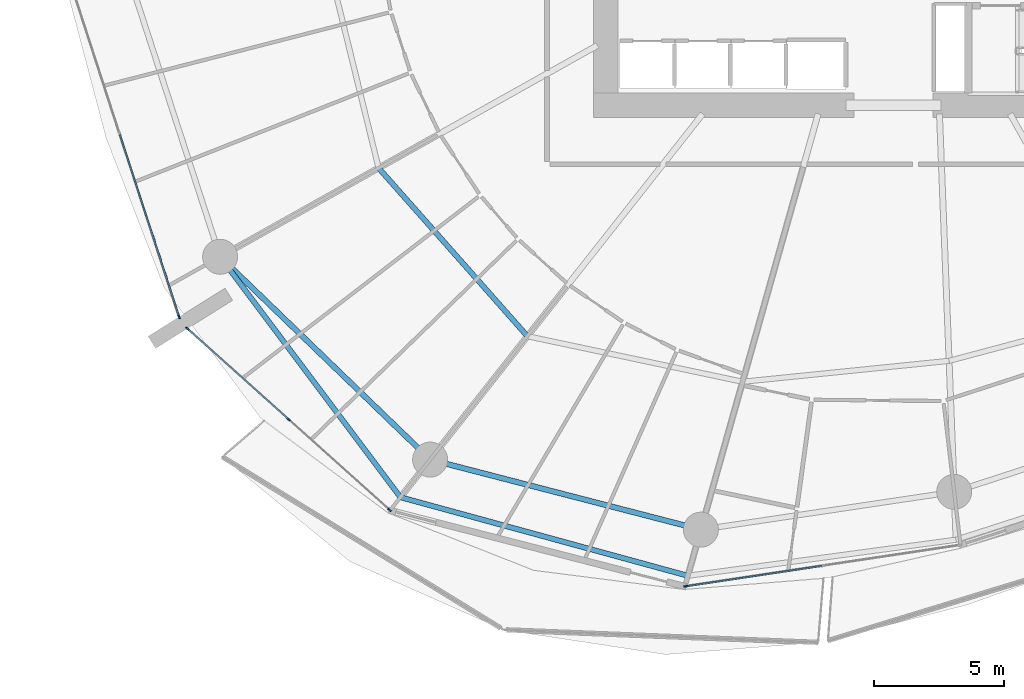
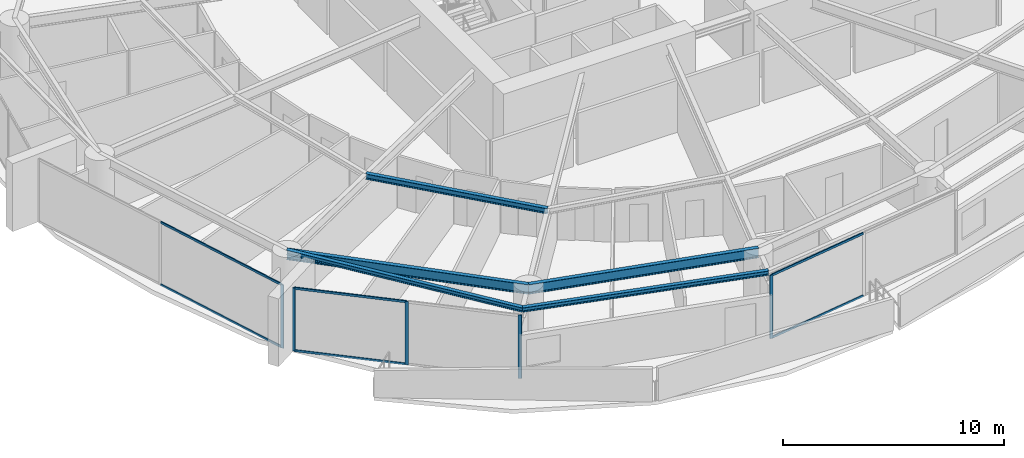
# One storey, part 7 of 31: 11 members, 5 beams, 3 elements without a shape of their own.
"""IFC4 building model written with IfcOpenShell, lengths in metres."""

from ifc_helpers import new_model, si_unit, direction, frame, origin, origin_2d, place, context, subcontext, project, spatial, rectangle, i_section, extrude, material, layer, layer_set, material_profile, profile_set, type_object, element, aggregate, save


model = new_model("IFC4")

# Units and contexts
model_context = context("Model", 3, precision=1e-05, world=origin(), true_north=direction((0.0, 1.0)))
body_context = subcontext(model_context, "Body", "Model", "MODEL_VIEW")
ifc_project = project(units=[si_unit("LENGTHUNIT", "METRE"), si_unit("AREAUNIT", "SQUARE_METRE"), si_unit("VOLUMEUNIT", "CUBIC_METRE"), si_unit("PLANEANGLEUNIT", "RADIAN"), si_unit("MASSUNIT", "GRAM", prefix="KILO")], contexts=[model_context])

# Site, building, storey
site_placement = place(None, origin())
site = spatial("IfcSite", under=ifc_project, at=site_placement, CompositionType="ELEMENT")
building_placement = place(site_placement, origin())
building = spatial("IfcBuilding", under=site, at=building_placement, Name="Kazma Halo Residences", CompositionType="ELEMENT")
storey_placement = place(building_placement, frame((0.0, 0.0, 52.64990234375)))
storey = spatial("IfcBuildingStorey", under=building, at=storey_placement, Name="L12", CompositionType="ELEMENT", Elevation=52.64990234375)

# Beams
ifc_material_1 = material(Name="Steel S355", Category="steel")
ifc_material_profile_1 = material_profile(ifc_material_1, i_section(OverallWidth=0.201904296875, OverallDepth=0.2470703125, WebThickness=0.00732421875, FlangeThickness=0.010986328125, FilletRadius=0.011962890625, at=origin_2d()), Name="W250x49.1")
ifc_profile_set_1 = profile_set([ifc_material_profile_1], Name="Steel S355")
beam_type_1 = type_object("IfcBeamType", Name="BM-BAL-CANT", PredefinedType="BEAM", material=ifc_profile_set_1)
beam_1_placement = place(storey_placement, frame((22.43505859375, 27.682861328125, 3.376708984375), z_axis=(0.600026935007, -0.799979798037, 0.0), x_axis=(0.799979798037, 0.600026935007, 0.0)))
element("IfcBeam", 1, at=beam_1_placement, inside=storey, type_object=beam_type_1, Name="L12 wave-balcony lead tie beam 09", PredefinedType="BEAM", context=body_context, shape_type="SweptSolid", body=[
    extrude(i_section(OverallWidth=0.201904296875, OverallDepth=0.2470703125, WebThickness=0.00732421875, FlangeThickness=0.010986328125, FilletRadius=0.011962890625, at=origin_2d()), origin(), (0.0, 0.0, 1.0), 11.601806640625),
])
beam_2_placement = place(storey_placement, frame((29.396484375, 18.401611328125, 3.376708984375), z_axis=(0.964628474934, -0.263613173697, 0.0), x_axis=(0.263613173697, 0.964628474934, 0.0)))
element("IfcBeam", 2, at=beam_2_placement, inside=storey, type_object=beam_type_1, Name="L12 wave-balcony tie beam 10", PredefinedType="BEAM", context=body_context, shape_type="SweptSolid", body=[
    extrude(i_section(OverallWidth=0.201904296875, OverallDepth=0.2470703125, WebThickness=0.00732421875, FlangeThickness=0.010986328125, FilletRadius=0.011962890625, at=origin_2d()), origin(), (0.0, 0.0, 1.0), 11.499755859375),
])
ifc_material_profile_2 = material_profile(ifc_material_1, i_section(OverallWidth=0.202880859375, OverallDepth=0.302978515625, WebThickness=0.007568359375, FlangeThickness=0.01318359375, FilletRadius=0.013916015625, at=origin_2d()), Name="W310x60")
ifc_profile_set_2 = profile_set([ifc_material_profile_2], Name="Steel S355")
beam_type_2 = type_object("IfcBeamType", Name="BM-SEC-W310A", PredefinedType="JOIST", material=ifc_profile_set_2)
beam_3_placement = place(storey_placement, frame((28.55224609375, 31.10888671875, 3.3486328125), z_axis=(0.662640120169, -0.748937962146, 0.0), x_axis=(0.748937962146, 0.662640120169, 0.0)))
element("IfcBeam", 3, at=beam_3_placement, inside=storey, type_object=beam_type_2, Name="L12 circumferential floor joist 09", PredefinedType="JOIST", context=body_context, shape_type="SweptSolid", body=[
    extrude(i_section(OverallWidth=0.202880859375, OverallDepth=0.302978515625, WebThickness=0.007568359375, FlangeThickness=0.01318359375, FilletRadius=0.013916015625, at=origin_2d()), origin(), (0.0, 0.0, 1.0), 8.668212890625),
])
ifc_material_profile_3 = material_profile(ifc_material_1, i_section(OverallWidth=0.208984375, OverallDepth=0.532958984375, WebThickness=0.01025390625, FlangeThickness=0.015625, FilletRadius=0.01611328125, at=origin_2d()), Name="W530x92")
ifc_profile_set_3 = profile_set([ifc_material_profile_3], Name="Steel S355")
beam_type_3 = type_object("IfcBeamType", Name="BM-SPN-W530", PredefinedType="BEAM", material=ifc_profile_set_3)
beam_4_placement = place(storey_placement, frame((22.43505859375, 27.682861328125, 3.233642578125), z_axis=(0.719336506967, -0.694661780829, 0.0), x_axis=(0.694661780829, 0.719336506967, 0.0)))
element("IfcBeam", 4, at=beam_4_placement, inside=storey, type_object=beam_type_3, Name="L12 perimeter ring beam 09", PredefinedType="BEAM", context=body_context, shape_type="SweptSolid", body=[
    extrude(i_section(OverallWidth=0.208984375, OverallDepth=0.532958984375, WebThickness=0.01025390625, FlangeThickness=0.015625, FilletRadius=0.01611328125, at=origin_2d()), origin(), (0.0, 0.0, 1.0), 11.269775390625),
])
beam_5_placement = place(storey_placement, frame((30.541748046875, 19.854248046875, 3.233642578125), z_axis=(0.968123558238, -0.250473104313, 0.0), x_axis=(0.250473104313, 0.968123558238, 0.0)))
element("IfcBeam", 5, at=beam_5_placement, inside=storey, type_object=beam_type_3, Name="L12 perimeter ring beam 10", PredefinedType="BEAM", context=body_context, shape_type="SweptSolid", body=[
    extrude(i_section(OverallWidth=0.208984375, OverallDepth=0.532958984375, WebThickness=0.01025390625, FlangeThickness=0.015625, FilletRadius=0.01611328125, at=origin_2d()), origin(), (0.0, 0.0, 1.0), 10.7939453125),
])

# Curtain wall, member
ifc_material_2 = material(Name="Aluminium AW-6063 T6 and Triple-Silver Low-E Glass", Category="aluminium")
ifc_layer = layer(ifc_material_2, 0.159912109375)
ifc_layer_set = layer_set([ifc_layer], Name="Aluminium AW-6063 T6 and Triple-Silver Low-E Glass")
curtain_wall_type = type_object("IfcCurtainWallType", Name="CW-SYS-2", PredefinedType="NOTDEFINED", material=ifc_layer_set)
curtain_wall_1_placement = place(storey_placement, origin())
curtain_wall_1 = element("IfcCurtainWall", 6, at=curtain_wall_1_placement, inside=storey, type_object=curtain_wall_type, Name="L12 unitised curtain wall B08", PredefinedType="NOTDEFINED")
ifc_material_3 = material(Name="Aluminium AW-6063 T6", Category="aluminium")
ifc_material_profile_4 = material_profile(ifc_material_3, rectangle(XDim=0.06005859375, YDim=0.159912109375, at=origin_2d()), Name="CWM-60x160")
ifc_profile_set_4 = profile_set([ifc_material_profile_4], Name="Aluminium AW-6063 T6")
member_type_1 = type_object("IfcMemberType", Name="CW-SYS-2-MUL", PredefinedType="MULLION", material=ifc_profile_set_4)
member_1_placement = place(storey_placement, frame((20.854248046875, 25.36669921875, 0.0), z_axis=(0.0, 0.0, 1.0), x_axis=(0.95105652404, 0.309016970539, 0.0)))
member_1 = element("IfcMember", 7, at=member_1_placement, type_object=member_type_1, Name="CWS-2 mullion 3", PredefinedType="MULLION", context=body_context, shape_type="SweptSolid", body=[
    extrude(rectangle(XDim=0.06005859375, YDim=0.159912109375, at=origin_2d()), origin(), (0.0, 0.0, 1.0), 3.5),
])

# Curtain wall, members
curtain_wall_2_placement = place(storey_placement, origin())
curtain_wall_2 = element("IfcCurtainWall", 8, at=curtain_wall_2_placement, inside=storey, type_object=curtain_wall_type, Name="L12 unitised curtain wall B09", PredefinedType="NOTDEFINED")
member_2_placement = place(storey_placement, frame((21.17333984375, 24.908203125, 0.0), z_axis=(0.0, 0.0, 1.0), x_axis=(0.667821453854, 0.744321506993, 0.0)))
member_2 = element("IfcMember", 9, at=member_2_placement, type_object=member_type_1, Name="CWS-2 mullion 1", PredefinedType="MULLION", context=body_context, shape_type="SweptSolid", body=[
    extrude(rectangle(XDim=0.06005859375, YDim=0.159912109375, at=origin_2d()), origin(), (0.0, 0.0, 1.0), 3.5),
])
member_3_placement = place(storey_placement, frame((25.07275390625, 21.409912109375, 0.0), z_axis=(0.0, 0.0, 1.0), x_axis=(0.667821453854, 0.744321506993, 0.0)))
member_3 = element("IfcMember", 10, at=member_3_placement, type_object=member_type_1, Name="CWS-2 mullion 2", PredefinedType="MULLION", context=body_context, shape_type="SweptSolid", body=[
    extrude(rectangle(XDim=0.06005859375, YDim=0.159912109375, at=origin_2d()), origin(), (0.0, 0.0, 1.0), 3.5),
])
member_4_placement = place(storey_placement, frame((28.971923828125, 17.911376953125, 0.0), z_axis=(0.0, 0.0, 1.0), x_axis=(0.667821453854, 0.744321506993, 0.0)))
member_4 = element("IfcMember", 11, at=member_4_placement, type_object=member_type_1, Name="CWS-2 mullion 3", PredefinedType="MULLION", context=body_context, shape_type="SweptSolid", body=[
    extrude(rectangle(XDim=0.06005859375, YDim=0.159912109375, at=origin_2d()), origin(), (0.0, 0.0, 1.0), 3.5),
])

# Curtain wall, member
curtain_wall_3_placement = place(storey_placement, origin())
curtain_wall_3 = element("IfcCurtainWall", 12, at=curtain_wall_3_placement, inside=storey, type_object=curtain_wall_type, Name="L12 unitised curtain wall B11", PredefinedType="NOTDEFINED")
member_5_placement = place(storey_placement, frame((40.403076171875, 14.962158203125, 0.0), z_axis=(0.0, 0.0, 1.0), x_axis=(-0.148657272805, 0.988888777994, 0.0)))
member_5 = element("IfcMember", 13, at=member_5_placement, type_object=member_type_1, Name="CWS-2 mullion 1", PredefinedType="MULLION", context=body_context, shape_type="SweptSolid", body=[
    extrude(rectangle(XDim=0.06005859375, YDim=0.159912109375, at=origin_2d()), origin(), (0.0, 0.0, 1.0), 3.5),
])

# Member
ifc_material_profile_5 = material_profile(ifc_material_3, rectangle(XDim=0.06005859375, YDim=0.1201171875, at=origin_2d()), Name="CWT-60x120")
ifc_profile_set_5 = profile_set([ifc_material_profile_5], Name="Aluminium AW-6063 T6")
member_type_2 = type_object("IfcMemberType", Name="CW-SYS-2-TRN", PredefinedType="USERDEFINED", material=ifc_profile_set_5)
member_6_placement = place(storey_placement, frame((18.5673828125, 32.4052734375, 0.030029296875), z_axis=(0.309004433966, -0.951060597328, 0.0), x_axis=(0.951060597328, 0.309004433966, 0.0)))
member_6 = element("IfcMember", 14, at=member_6_placement, type_object=member_type_2, Name="CWS-2 transom 2.1", ObjectType="TRANSOM", PredefinedType="USERDEFINED", context=body_context, shape_type="SweptSolid", body=[
    extrude(rectangle(XDim=0.06005859375, YDim=0.1201171875, at=origin_2d()), origin(), (0.0, 0.0, 1.0), 7.370849609375),
])

member_7_placement = place(storey_placement, frame((18.5673828125, 32.4052734375, 3.47021484375), z_axis=(0.309004433966, -0.951060597328, 0.0), x_axis=(0.951060597328, 0.309004433966, 0.0)))
member_7 = element("IfcMember", 15, at=member_7_placement, type_object=member_type_2, Name="CWS-2 transom 2.2", ObjectType="TRANSOM", PredefinedType="USERDEFINED", context=body_context, shape_type="SweptSolid", body=[
    extrude(rectangle(XDim=0.06005859375, YDim=0.1201171875, at=origin_2d()), origin(), (0.0, 0.0, 1.0), 7.370849609375),
])

aggregate(curtain_wall_1, [member_1, member_6, member_7])

member_8_placement = place(storey_placement, frame((21.19580078125, 24.88818359375, 0.030029296875), z_axis=(0.744329408538, -0.66781264707, 0.0), x_axis=(0.66781264707, 0.744329408538, 0.0)))
member_8 = element("IfcMember", 16, at=member_8_placement, type_object=member_type_2, Name="CWS-2 transom 1.1", ObjectType="TRANSOM", PredefinedType="USERDEFINED", context=body_context, shape_type="SweptSolid", body=[
    extrude(rectangle(XDim=0.06005859375, YDim=0.1201171875, at=origin_2d()), origin(), (0.0, 0.0, 1.0), 5.178466796875),
])

member_9_placement = place(storey_placement, frame((21.19580078125, 24.88818359375, 3.47021484375), z_axis=(0.744329408538, -0.66781264707, 0.0), x_axis=(0.66781264707, 0.744329408538, 0.0)))
member_9 = element("IfcMember", 17, at=member_9_placement, type_object=member_type_2, Name="CWS-2 transom 1.2", ObjectType="TRANSOM", PredefinedType="USERDEFINED", context=body_context, shape_type="SweptSolid", body=[
    extrude(rectangle(XDim=0.06005859375, YDim=0.1201171875, at=origin_2d()), origin(), (0.0, 0.0, 1.0), 5.178466796875),
])

aggregate(curtain_wall_2, [member_2, member_3, member_4, member_8, member_9])

member_10_placement = place(storey_placement, frame((40.4326171875, 14.966796875, 0.030029296875), z_axis=(0.988890934274, 0.148642928222, 0.0), x_axis=(-0.148642928222, 0.988890934274, 0.0)))
member_10 = element("IfcMember", 18, at=member_10_placement, type_object=member_type_2, Name="CWS-2 transom 1.1", ObjectType="TRANSOM", PredefinedType="USERDEFINED", context=body_context, shape_type="SweptSolid", body=[
    extrude(rectangle(XDim=0.06005859375, YDim=0.1201171875, at=origin_2d()), origin(), (0.0, 0.0, 1.0), 5.288818359375),
])

member_11_placement = place(storey_placement, frame((40.4326171875, 14.966796875, 3.47021484375), z_axis=(0.988890934274, 0.148642928222, 0.0), x_axis=(-0.148642928222, 0.988890934274, 0.0)))
member_11 = element("IfcMember", 19, at=member_11_placement, type_object=member_type_2, Name="CWS-2 transom 1.2", ObjectType="TRANSOM", PredefinedType="USERDEFINED", context=body_context, shape_type="SweptSolid", body=[
    extrude(rectangle(XDim=0.06005859375, YDim=0.1201171875, at=origin_2d()), origin(), (0.0, 0.0, 1.0), 5.288818359375),
])

aggregate(curtain_wall_3, [member_5, member_10, member_11])

save(model, "model.ifc")
